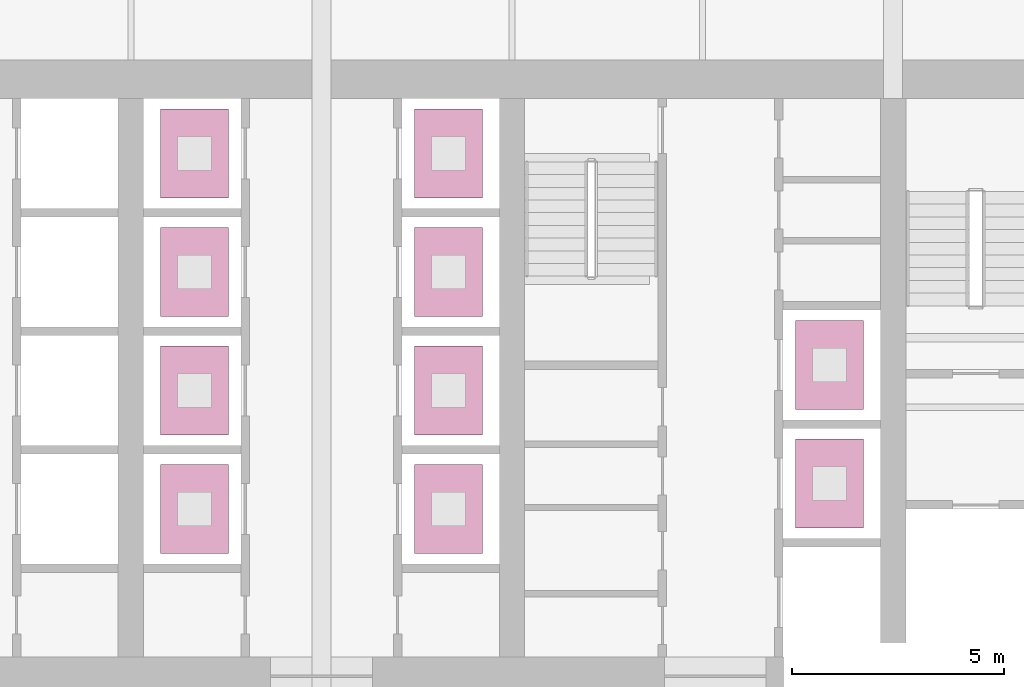
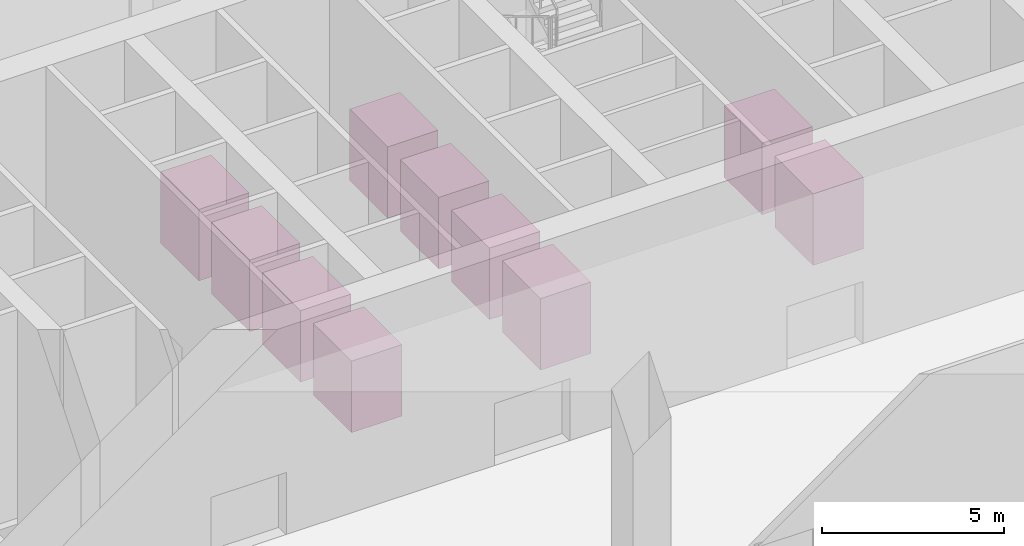
# One storey, part 41 of 41: 10 transport elements.
"""IFC4 building model written with IfcOpenShell, lengths in metres."""

from ifc_helpers import new_model, si_unit, direction, frame, origin, origin_2d, place, context, subcontext, project, spatial, rectangle, extrude, material, type_object, element, save


model = new_model("IFC4")

# Units and contexts
model_context = context("Model", 3, precision=1e-05, world=origin(), true_north=direction((0.0, 1.0)))
body_context = subcontext(model_context, "Body", "Model", "MODEL_VIEW")
ifc_project = project(units=[si_unit("LENGTHUNIT", "METRE"), si_unit("AREAUNIT", "SQUARE_METRE"), si_unit("VOLUMEUNIT", "CUBIC_METRE"), si_unit("PLANEANGLEUNIT", "RADIAN"), si_unit("MASSUNIT", "GRAM", prefix="KILO")], contexts=[model_context])

# Site, building, storey
site_placement = place(None, origin())
site = spatial("IfcSite", under=ifc_project, at=site_placement, CompositionType="ELEMENT")
building_placement = place(site_placement, origin())
building = spatial("IfcBuilding", under=site, at=building_placement, Name="Rattan Terrace Tower", CompositionType="ELEMENT")
storey_placement = place(building_placement, origin())
storey = spatial("IfcBuildingStorey", under=building, at=storey_placement, Name="L00", CompositionType="ELEMENT", Elevation=0.0)

# Transport elements
ifc_material_1 = material(Name="Stainless steel lift car", Category="steel")
transport_element_type_1 = type_object("IfcTransportElementType", Name="Core lift car high-rise", PredefinedType="ELEVATOR", material=ifc_material_1)
for number, where, z_axis, x_axis, name in (
    (1, (-3.0, -3.10009765625, 0.0), (0.0, 0.0, 1.0), (1.0, 0.0, 0.0), "Lift HR1 car"),
    (2, (-3.0, -0.300048828125, 0.0), (0.0, 0.0, 1.0), (1.0, 0.0, 0.0), "Lift HR2 car"),
    (3, (-3.0, 2.5, 0.0), (0.0, 0.0, 1.0), (1.0, 0.0, 0.0), "Lift HR3 car"),
    (4, (-3.0, 5.300048828125, 0.0), (0.0, 0.0, 1.0), (1.0, 0.0, 0.0), "Lift HR4 car"),
    (5, (3.0, -3.10009765625, 0.0), (0.0, 0.0, 1.0), (1.0, 0.0, 0.0), "Lift HR5 car"),
    (6, (3.0, -0.300048828125, 0.0), (0.0, 0.0, 1.0), (1.0, 0.0, 0.0), "Lift HR6 car"),
    (7, (3.0, 2.5, 0.0), (0.0, 0.0, 1.0), (1.0, 0.0, 0.0), "Lift HR7 car"),
    (8, (3.0, 5.300048828125, 0.0), (0.0, 0.0, 1.0), (1.0, 0.0, 0.0), "Lift HR8 car"),
):
    element("IfcTransportElement", number, at=place(storey_placement, frame(where, z_axis=z_axis, x_axis=x_axis)), inside=storey, type_object=transport_element_type_1, Name=name, PredefinedType="ELEVATOR", context=body_context, shape_type="SweptSolid", body=[
        extrude(rectangle(XDim=1.60009765625, YDim=2.10009765625, at=origin_2d()), origin(), (0.0, 0.0, 1.0), 2.39990234375),
    ])
ifc_material_2 = material(Name="Stainless steel lift car", Category="steel")
transport_element_type_2 = type_object("IfcTransportElementType", Name="Core lift car observation", PredefinedType="ELEVATOR", material=ifc_material_2)
for number, where, z_axis, x_axis, name in (
    (9, (12.0, -2.5, 0.0), (0.0, 0.0, 1.0), (1.0, 0.0, 0.0), "Lift OBS1 car"),
    (10, (12.0, 0.300048828125, 0.0), (0.0, 0.0, 1.0), (1.0, 0.0, 0.0), "Lift OBS2 car"),
):
    element("IfcTransportElement", number, at=place(storey_placement, frame(where, z_axis=z_axis, x_axis=x_axis)), inside=storey, type_object=transport_element_type_2, Name=name, PredefinedType="ELEVATOR", context=body_context, shape_type="SweptSolid", body=[
        extrude(rectangle(XDim=1.60009765625, YDim=2.10009765625, at=origin_2d()), origin(), (0.0, 0.0, 1.0), 2.39990234375),
    ])

save(model, "model.ifc")
